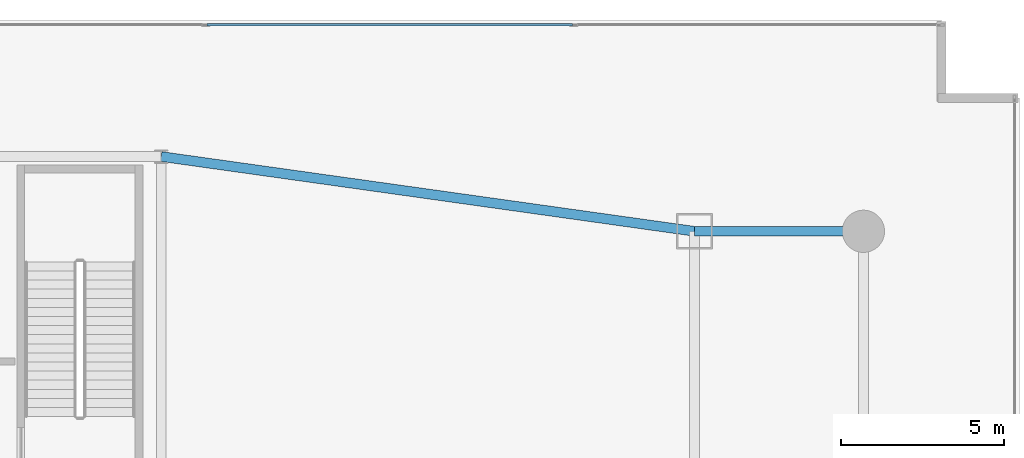
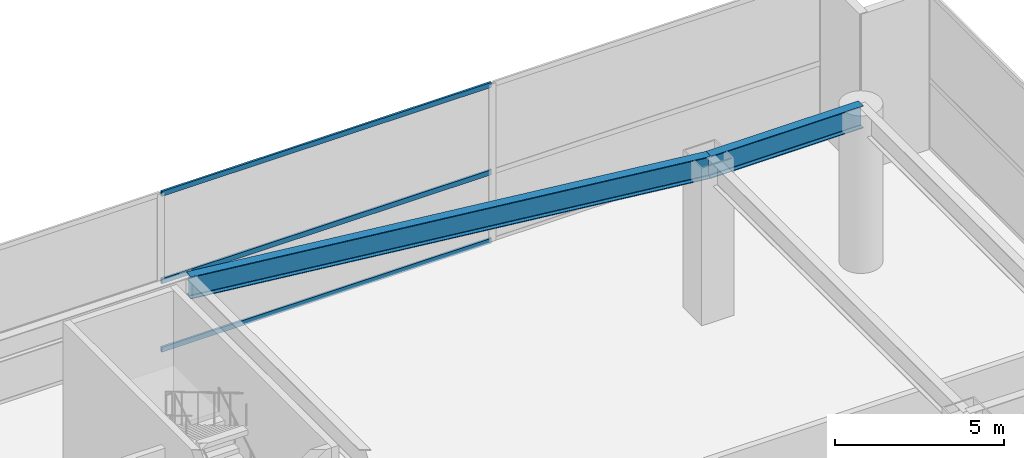
# One storey, part 27 of 35: 3 members, 2 beams, 1 element without a shape of its own.
"""IFC4 building model written with IfcOpenShell, lengths in metres."""

from ifc_helpers import new_model, si_unit, direction, frame, origin, origin_2d, place, context, subcontext, project, spatial, hollow_rectangle, i_section, extrude, material, layer, layer_set, material_profile, profile_set, type_object, element, aggregate, save


model = new_model("IFC4")

# Units and contexts
model_context = context("Model", 3, precision=1e-05, world=origin(), true_north=direction((0.0, 1.0)))
body_context = subcontext(model_context, "Body", "Model", "MODEL_VIEW")
ifc_project = project(units=[si_unit("LENGTHUNIT", "METRE"), si_unit("AREAUNIT", "SQUARE_METRE"), si_unit("VOLUMEUNIT", "CUBIC_METRE"), si_unit("PLANEANGLEUNIT", "RADIAN"), si_unit("MASSUNIT", "GRAM", prefix="KILO")], contexts=[model_context])

# Site, building, storey
site_placement = place(None, origin())
site = spatial("IfcSite", under=ifc_project, at=site_placement, CompositionType="ELEMENT")
building_placement = place(site_placement, origin())
building = spatial("IfcBuilding", under=site, at=building_placement, Name="Calvorn Quay Hotel", CompositionType="ELEMENT")
storey_placement = place(building_placement, frame((0.0, 0.0, 6.0)))
storey = spatial("IfcBuildingStorey", under=building, at=storey_placement, Name="L01", CompositionType="ELEMENT", Elevation=6.0)

# Beams
ifc_material_1 = material(Name="Steel Q390GJC", Category="steel")
ifc_material_profile_1 = material_profile(ifc_material_1, i_section(OverallWidth=0.300048828125, OverallDepth=0.800048828125, WebThickness=0.013916015625, FlangeThickness=0.02587890625, FilletRadius=0.02392578125, at=origin_2d()), Name="HN800x300x14x26")
ifc_profile_set_1 = profile_set([ifc_material_profile_1], Name="Steel Q390GJC")
beam_type = type_object("IfcBeamType", Name="BM-GIRD-POD", PredefinedType="BEAM", material=ifc_profile_set_1)
beam_1_placement = place(storey_placement, frame((57.60009765625, 53.800048828125, 5.280029296875), z_axis=(0.990308033684, -0.138888438761, 0.0), x_axis=(0.138888438761, 0.990308033684, 0.0)))
element("IfcBeam", 1, at=beam_1_placement, inside=storey, type_object=beam_type, Name="Beam BG-L01-PN7", PredefinedType="BEAM", context=body_context, shape_type="SweptSolid", body=[
    extrude(i_section(OverallWidth=0.300048828125, OverallDepth=0.800048828125, WebThickness=0.013916015625, FlangeThickness=0.02587890625, FilletRadius=0.02392578125, at=origin_2d()), origin(), (0.0, 0.0, 1.0), 16.560302734375),
])
beam_2_placement = place(storey_placement, frame((74.0, 51.5, 5.280029296875), z_axis=(1.0, 0.0, 0.0), x_axis=(0.0, 1.0, 0.0)))
element("IfcBeam", 2, at=beam_2_placement, inside=storey, type_object=beam_type, Name="Beam BG-L01-EQ5", PredefinedType="BEAM", context=body_context, shape_type="SweptSolid", body=[
    extrude(i_section(OverallWidth=0.300048828125, OverallDepth=0.800048828125, WebThickness=0.013916015625, FlangeThickness=0.02587890625, FilletRadius=0.02392578125, at=origin_2d()), origin(), (0.0, 0.0, 1.0), 5.199951171875),
])

# Curtain wall, members
ifc_material_2 = material(Name="Pale Anodised Aluminium and Low-E Glass", Category="aluminium")
ifc_layer = layer(ifc_material_2, 0.219970703125)
ifc_layer_set = layer_set([ifc_layer], Name="CW-SYS-POD")
curtain_wall_type = type_object("IfcCurtainWallType", Name="CW-SYS-POD", PredefinedType="NOTDEFINED", material=ifc_layer_set)
curtain_wall_placement = place(storey_placement, origin())
curtain_wall = element("IfcCurtainWall", 3, at=curtain_wall_placement, inside=storey, type_object=curtain_wall_type, Name="Podium Curtain Wall L01-N1", PredefinedType="NOTDEFINED")
ifc_material_3 = material(Name="Pale Anodised Aluminium 6063-T6", Category="aluminium")
ifc_material_profile_2 = material_profile(ifc_material_3, hollow_rectangle(XDim=0.070068359375, YDim=0.179931640625, WallThickness=0.00390625, at=origin_2d()), Name="ALU-T180x70x4")
ifc_profile_set_2 = profile_set([ifc_material_profile_2], Name="Pale Anodised Aluminium 6063-T6")
member_type = type_object("IfcMemberType", Name="CW-SYS-POD-TRN", PredefinedType="USERDEFINED", material=ifc_profile_set_2)
member_1_placement = place(storey_placement, frame((59.00146484375, 57.85009765625, 0.030029296875), z_axis=(1.0, 0.0, 0.0), x_axis=(0.0, 1.0, 0.0)))
member_1 = element("IfcMember", 4, at=member_1_placement, type_object=member_type, Name="CW-L01-N1 transom 6.1", ObjectType="TRANSOM", PredefinedType="USERDEFINED", context=body_context, shape_type="SweptSolid", body=[
    extrude(hollow_rectangle(XDim=0.070068359375, YDim=0.179931640625, WallThickness=0.00390625, at=origin_2d()), origin(), (0.0, 0.0, 1.0), 11.254150390625),
])
member_2_placement = place(storey_placement, frame((59.00146484375, 57.85009765625, 2.5), z_axis=(1.0, 0.0, 0.0), x_axis=(0.0, 1.0, 0.0)))
member_2 = element("IfcMember", 5, at=member_2_placement, type_object=member_type, Name="CW-L01-N1 transom 6.2", ObjectType="TRANSOM", PredefinedType="USERDEFINED", context=body_context, shape_type="SweptSolid", body=[
    extrude(hollow_rectangle(XDim=0.070068359375, YDim=0.179931640625, WallThickness=0.00390625, at=origin_2d()), origin(), (0.0, 0.0, 1.0), 11.254150390625),
])
member_3_placement = place(storey_placement, frame((59.00146484375, 57.85009765625, 5.64990234375), z_axis=(1.0, 0.0, 0.0), x_axis=(0.0, 1.0, 0.0)))
member_3 = element("IfcMember", 6, at=member_3_placement, type_object=member_type, Name="CW-L01-N1 transom 6.3", ObjectType="TRANSOM", PredefinedType="USERDEFINED", context=body_context, shape_type="SweptSolid", body=[
    extrude(hollow_rectangle(XDim=0.070068359375, YDim=0.179931640625, WallThickness=0.00390625, at=origin_2d()), origin(), (0.0, 0.0, 1.0), 11.254150390625),
])
aggregate(curtain_wall, [member_1, member_2, member_3])

save(model, "model.ifc")
